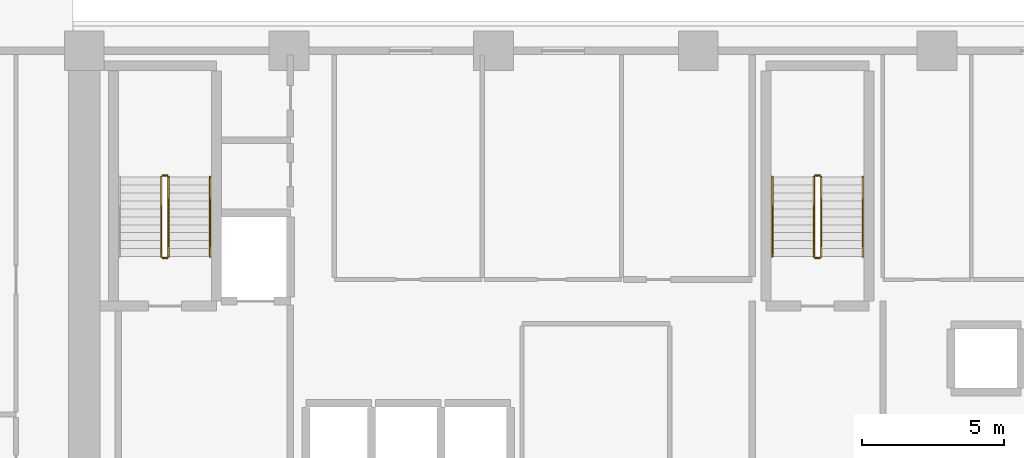
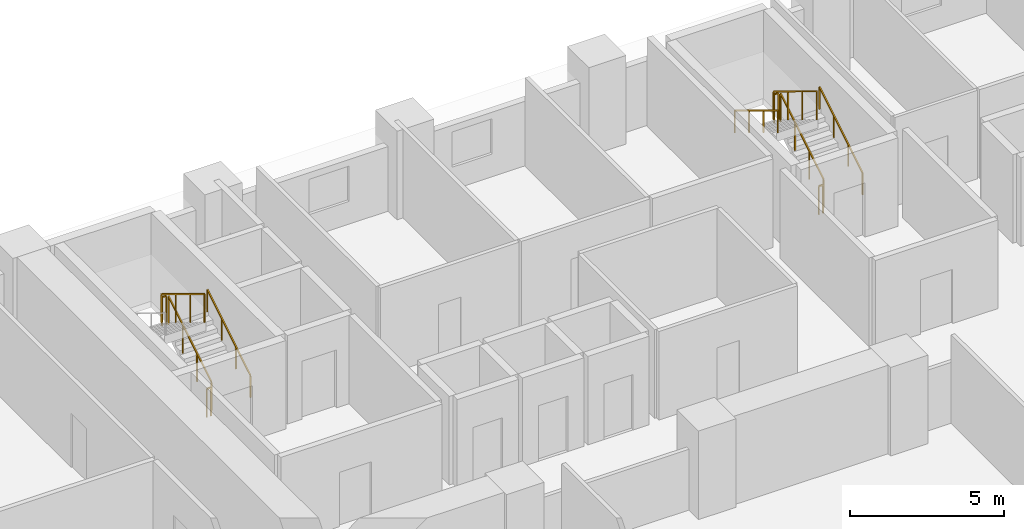
# One storey, part 15 of 17: 11 railings.
"""IFC4 building model written with IfcOpenShell, lengths in metres."""

from ifc_helpers import new_model, si_unit, direction, frame, origin, origin_2d, place, context, subcontext, project, spatial, rectangle, extrude, material, type_object, element, save


model = new_model("IFC4")

# Units and contexts
model_context = context("Model", 3, precision=1e-05, world=origin(), true_north=direction((0.0, 1.0)))
body_context = subcontext(model_context, "Body", "Model", "MODEL_VIEW")
ifc_project = project(units=[si_unit("LENGTHUNIT", "METRE"), si_unit("AREAUNIT", "SQUARE_METRE"), si_unit("VOLUMEUNIT", "CUBIC_METRE"), si_unit("PLANEANGLEUNIT", "RADIAN"), si_unit("MASSUNIT", "GRAM", prefix="KILO")], contexts=[model_context])

# Site, building, storey
site_placement = place(None, origin())
site = spatial("IfcSite", under=ifc_project, at=site_placement, CompositionType="ELEMENT")
building_placement = place(site_placement, origin())
building = spatial("IfcBuilding", under=site, at=building_placement, Name="Kaelvorn Grand Hotel", CompositionType="ELEMENT")
storey_placement = place(building_placement, frame((0.0, 0.0, 31.39990234375)))
storey = spatial("IfcBuildingStorey", under=building, at=storey_placement, Name="L05", CompositionType="ELEMENT", Elevation=31.39990234375)

# Railings
ifc_material = material(Name="Stainless Steel", Category="steel")
railing_type_1 = type_object("IfcRailingType", Name="RL-HANDRAIL-900", PredefinedType="HANDRAIL", material=ifc_material)
for number, where, name in (
    (1, (20.6298828125, 41.760009765625, 0.170654296875), "L05 ST1 stair handrail 1"),
    (2, (43.590087890625, 41.760009765625, 0.170654296875), "L05 ST2 stair handrail 1"),
):
    element("IfcRailing", number, at=place(storey_placement, frame(where)), inside=storey, type_object=railing_type_1, Name=name, PredefinedType="HANDRAIL", context=body_context, shape_type="SweptSolid", body=[
        extrude(rectangle(XDim=0.048095703125, YDim=0.048095703125, at=origin_2d()), frame((0.0, 0.0, 0.8759765625), z_axis=(0.0, 0.854202870247, 0.519939858505), x_axis=(-1.0, 0.0, 0.0)), (0.0, 0.0, 1.0), 3.278076171875),
        extrude(rectangle(XDim=0.0419921875, YDim=0.0419921875, at=origin_2d()), origin(), (0.0, 0.0, 1.0), 0.851806640625),
        extrude(rectangle(XDim=0.0419921875, YDim=0.0419921875, at=origin_2d()), frame((0.0, 0.933349609375, 0.568115234375)), (0.0, 0.0, 1.0), 0.851806640625),
        extrude(rectangle(XDim=0.0419921875, YDim=0.0419921875, at=origin_2d()), frame((0.0, 1.86669921875, 1.13623046875)), (0.0, 0.0, 1.0), 0.851806640625),
        extrude(rectangle(XDim=0.0419921875, YDim=0.0419921875, at=origin_2d()), frame((0.0, 2.800048828125, 1.704345703125)), (0.0, 0.0, 1.0), 0.851806640625),
    ])
railing_1_placement = place(storey_placement, frame((40.409912109375, 44.56005859375, 2.045654296875)))
element("IfcRailing", 3, at=railing_1_placement, inside=storey, type_object=railing_type_1, Name="L05 ST2 stair handrail 2", PredefinedType="HANDRAIL", context=body_context, shape_type="SweptSolid", body=[
    extrude(rectangle(XDim=0.048095703125, YDim=0.048095703125, at=origin_2d()), frame((0.0, 0.0, 0.8759765625), z_axis=(0.0, -0.854202870247, 0.519939858505), x_axis=(1.0, 0.0, 0.0)), (0.0, 0.0, 1.0), 3.278076171875),
    extrude(rectangle(XDim=0.0419921875, YDim=0.0419921875, at=origin_2d()), origin(), (0.0, 0.0, 1.0), 0.851806640625),
    extrude(rectangle(XDim=0.0419921875, YDim=0.0419921875, at=origin_2d()), frame((0.0, -0.933349609375, 0.568115234375)), (0.0, 0.0, 1.0), 0.851806640625),
    extrude(rectangle(XDim=0.0419921875, YDim=0.0419921875, at=origin_2d()), frame((0.0, -1.86669921875, 1.13623046875)), (0.0, 0.0, 1.0), 0.851806640625),
    extrude(rectangle(XDim=0.0419921875, YDim=0.0419921875, at=origin_2d()), frame((0.0, -2.800048828125, 1.704345703125)), (0.0, 0.0, 1.0), 0.851806640625),
])
railing_type_2 = type_object("IfcRailingType", Name="RL-STAIR-GUARD-1150", PredefinedType="BALUSTRADE", material=ifc_material)
railing_2_placement = place(storey_placement, frame((19.169921875, 41.760009765625, 0.170654296875)))
element("IfcRailing", 4, at=railing_2_placement, inside=storey, type_object=railing_type_2, Name="L05 ST1 stair guard 1", PredefinedType="BALUSTRADE", context=body_context, shape_type="SweptSolid", body=[
    extrude(rectangle(XDim=0.048095703125, YDim=0.048095703125, at=origin_2d()), frame((0.0, 0.0, 1.1259765625), z_axis=(0.0, 0.854202870247, 0.519939858505), x_axis=(-1.0, 0.0, 0.0)), (0.0, 0.0, 1.0), 3.278076171875),
    extrude(rectangle(XDim=0.0419921875, YDim=0.0419921875, at=origin_2d()), origin(), (0.0, 0.0, 1.0), 1.101806640625),
    extrude(rectangle(XDim=0.0419921875, YDim=0.0419921875, at=origin_2d()), frame((0.0, 0.933349609375, 0.568115234375)), (0.0, 0.0, 1.0), 1.101806640625),
    extrude(rectangle(XDim=0.0419921875, YDim=0.0419921875, at=origin_2d()), frame((0.0, 1.86669921875, 1.13623046875)), (0.0, 0.0, 1.0), 1.101806640625),
    extrude(rectangle(XDim=0.0419921875, YDim=0.0419921875, at=origin_2d()), frame((0.0, 2.800048828125, 1.704345703125)), (0.0, 0.0, 1.0), 1.101806640625),
])
railing_3_placement = place(storey_placement, frame((19.1201171875, 44.610107421875, 1.875)))
element("IfcRailing", 5, at=railing_3_placement, inside=storey, type_object=railing_type_2, Name="L05 ST1 stair guard 2", PredefinedType="BALUSTRADE", context=body_context, shape_type="SweptSolid", body=[
    extrude(rectangle(XDim=0.048095703125, YDim=0.048095703125, at=origin_2d()), frame((0.0, 0.0, 1.1259765625), z_axis=(-1.0, 0.0, 0.0), x_axis=(0.0, -1.0, 0.0)), (0.0, 0.0, 1.0), 0.16015625),
    extrude(rectangle(XDim=0.0419921875, YDim=0.0419921875, at=origin_2d()), origin(), (0.0, 0.0, 1.0), 1.101806640625),
    extrude(rectangle(XDim=0.0419921875, YDim=0.0419921875, at=origin_2d()), frame((-0.16015625, 0.0, 0.0)), (0.0, 0.0, 1.0), 1.101806640625),
])
railing_4_placement = place(storey_placement, frame((18.909912109375, 44.56005859375, 2.045654296875)))
element("IfcRailing", 6, at=railing_4_placement, inside=storey, type_object=railing_type_2, Name="L05 ST1 stair guard 3", PredefinedType="BALUSTRADE", context=body_context, shape_type="SweptSolid", body=[
    extrude(rectangle(XDim=0.048095703125, YDim=0.048095703125, at=origin_2d()), frame((0.0, 0.0, 1.1259765625), z_axis=(0.0, -0.854202870247, 0.519939858505), x_axis=(1.0, 0.0, 0.0)), (0.0, 0.0, 1.0), 3.278076171875),
    extrude(rectangle(XDim=0.0419921875, YDim=0.0419921875, at=origin_2d()), origin(), (0.0, 0.0, 1.0), 1.101806640625),
    extrude(rectangle(XDim=0.0419921875, YDim=0.0419921875, at=origin_2d()), frame((0.0, -0.933349609375, 0.568115234375)), (0.0, 0.0, 1.0), 1.101806640625),
    extrude(rectangle(XDim=0.0419921875, YDim=0.0419921875, at=origin_2d()), frame((0.0, -1.86669921875, 1.13623046875)), (0.0, 0.0, 1.0), 1.101806640625),
    extrude(rectangle(XDim=0.0419921875, YDim=0.0419921875, at=origin_2d()), frame((0.0, -2.800048828125, 1.704345703125)), (0.0, 0.0, 1.0), 1.101806640625),
])
railing_5_placement = place(storey_placement, frame((19.1201171875, 41.7099609375, 0.0)))
element("IfcRailing", 7, at=railing_5_placement, inside=storey, type_object=railing_type_2, Name="L05 ST1 stair guard 4", PredefinedType="BALUSTRADE", context=body_context, shape_type="SweptSolid", body=[
    extrude(rectangle(XDim=0.048095703125, YDim=0.048095703125, at=origin_2d()), frame((0.0, 0.0, 1.1259765625), z_axis=(-1.0, 0.0, 0.0), x_axis=(0.0, -1.0, 0.0)), (0.0, 0.0, 1.0), 0.16015625),
    extrude(rectangle(XDim=0.0419921875, YDim=0.0419921875, at=origin_2d()), origin(), (0.0, 0.0, 1.0), 1.101806640625),
    extrude(rectangle(XDim=0.0419921875, YDim=0.0419921875, at=origin_2d()), frame((-0.16015625, 0.0, 0.0)), (0.0, 0.0, 1.0), 1.101806640625),
])
railing_6_placement = place(storey_placement, frame((42.1298828125, 41.760009765625, 0.170654296875)))
element("IfcRailing", 8, at=railing_6_placement, inside=storey, type_object=railing_type_2, Name="L05 ST2 stair guard 1", PredefinedType="BALUSTRADE", context=body_context, shape_type="SweptSolid", body=[
    extrude(rectangle(XDim=0.048095703125, YDim=0.048095703125, at=origin_2d()), frame((0.0, 0.0, 1.1259765625), z_axis=(0.0, 0.854202870247, 0.519939858505), x_axis=(-1.0, 0.0, 0.0)), (0.0, 0.0, 1.0), 3.278076171875),
    extrude(rectangle(XDim=0.0419921875, YDim=0.0419921875, at=origin_2d()), origin(), (0.0, 0.0, 1.0), 1.101806640625),
    extrude(rectangle(XDim=0.0419921875, YDim=0.0419921875, at=origin_2d()), frame((0.0, 0.933349609375, 0.568115234375)), (0.0, 0.0, 1.0), 1.101806640625),
    extrude(rectangle(XDim=0.0419921875, YDim=0.0419921875, at=origin_2d()), frame((0.0, 1.86669921875, 1.13623046875)), (0.0, 0.0, 1.0), 1.101806640625),
    extrude(rectangle(XDim=0.0419921875, YDim=0.0419921875, at=origin_2d()), frame((0.0, 2.800048828125, 1.704345703125)), (0.0, 0.0, 1.0), 1.101806640625),
])
railing_7_placement = place(storey_placement, frame((42.080078125, 44.610107421875, 1.875)))
element("IfcRailing", 9, at=railing_7_placement, inside=storey, type_object=railing_type_2, Name="L05 ST2 stair guard 2", PredefinedType="BALUSTRADE", context=body_context, shape_type="SweptSolid", body=[
    extrude(rectangle(XDim=0.048095703125, YDim=0.048095703125, at=origin_2d()), frame((0.0, 0.0, 1.1259765625), z_axis=(-1.0, 0.0, 0.0), x_axis=(0.0, -1.0, 0.0)), (0.0, 0.0, 1.0), 0.16015625),
    extrude(rectangle(XDim=0.0419921875, YDim=0.0419921875, at=origin_2d()), origin(), (0.0, 0.0, 1.0), 1.101806640625),
    extrude(rectangle(XDim=0.0419921875, YDim=0.0419921875, at=origin_2d()), frame((-0.16015625, 0.0, 0.0)), (0.0, 0.0, 1.0), 1.101806640625),
])
railing_8_placement = place(storey_placement, frame((41.8701171875, 44.56005859375, 2.045654296875)))
element("IfcRailing", 10, at=railing_8_placement, inside=storey, type_object=railing_type_2, Name="L05 ST2 stair guard 3", PredefinedType="BALUSTRADE", context=body_context, shape_type="SweptSolid", body=[
    extrude(rectangle(XDim=0.048095703125, YDim=0.048095703125, at=origin_2d()), frame((0.0, 0.0, 1.1259765625), z_axis=(0.0, -0.854202870247, 0.519939858505), x_axis=(1.0, 0.0, 0.0)), (0.0, 0.0, 1.0), 3.278076171875),
    extrude(rectangle(XDim=0.0419921875, YDim=0.0419921875, at=origin_2d()), origin(), (0.0, 0.0, 1.0), 1.101806640625),
    extrude(rectangle(XDim=0.0419921875, YDim=0.0419921875, at=origin_2d()), frame((0.0, -0.933349609375, 0.568115234375)), (0.0, 0.0, 1.0), 1.101806640625),
    extrude(rectangle(XDim=0.0419921875, YDim=0.0419921875, at=origin_2d()), frame((0.0, -1.86669921875, 1.13623046875)), (0.0, 0.0, 1.0), 1.101806640625),
    extrude(rectangle(XDim=0.0419921875, YDim=0.0419921875, at=origin_2d()), frame((0.0, -2.800048828125, 1.704345703125)), (0.0, 0.0, 1.0), 1.101806640625),
])
railing_9_placement = place(storey_placement, frame((42.080078125, 41.7099609375, 0.0)))
element("IfcRailing", 11, at=railing_9_placement, inside=storey, type_object=railing_type_2, Name="L05 ST2 stair guard 4", PredefinedType="BALUSTRADE", context=body_context, shape_type="SweptSolid", body=[
    extrude(rectangle(XDim=0.048095703125, YDim=0.048095703125, at=origin_2d()), frame((0.0, 0.0, 1.1259765625), z_axis=(-1.0, 0.0, 0.0), x_axis=(0.0, -1.0, 0.0)), (0.0, 0.0, 1.0), 0.16015625),
    extrude(rectangle(XDim=0.0419921875, YDim=0.0419921875, at=origin_2d()), origin(), (0.0, 0.0, 1.0), 1.101806640625),
    extrude(rectangle(XDim=0.0419921875, YDim=0.0419921875, at=origin_2d()), frame((-0.16015625, 0.0, 0.0)), (0.0, 0.0, 1.0), 1.101806640625),
])

save(model, "model.ifc")
